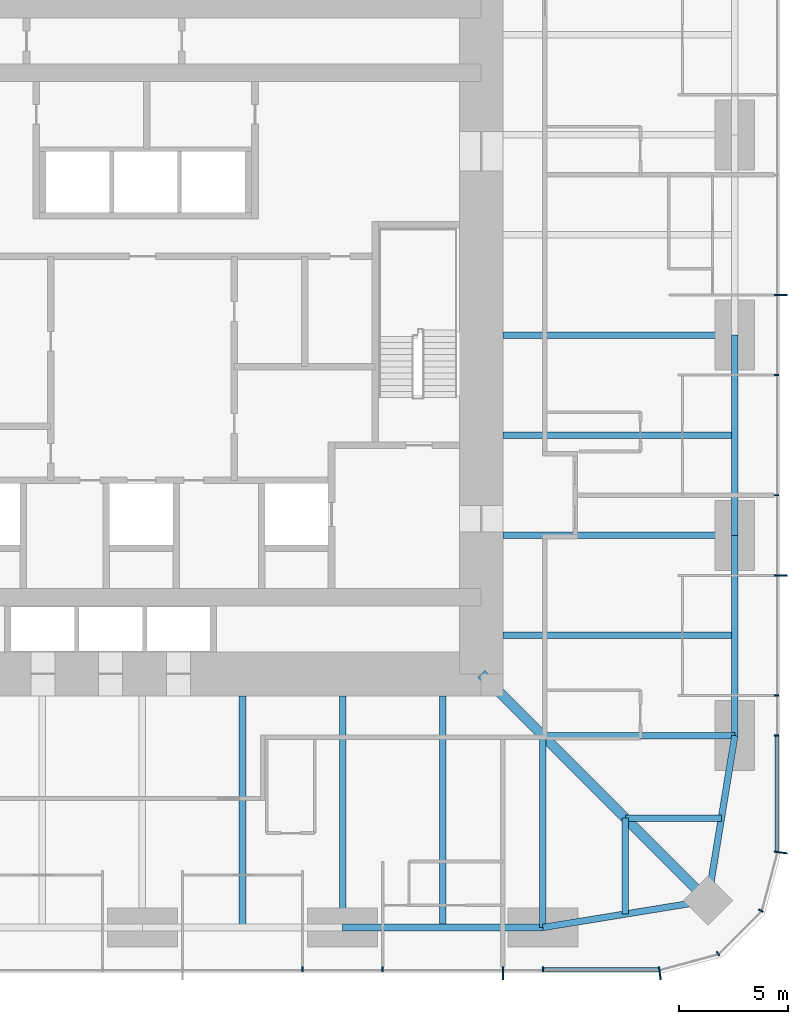
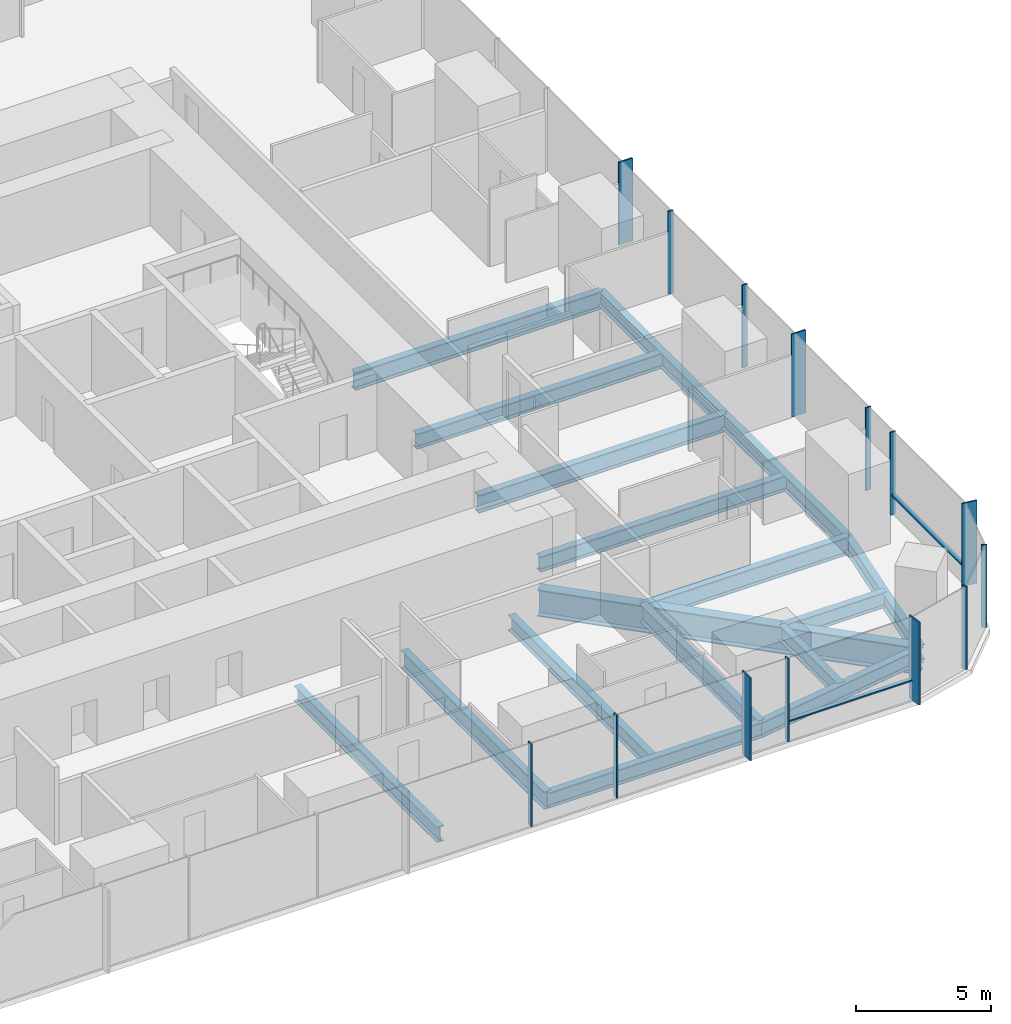
# One storey, part 4 of 13: 17 beams, 16 members, 3 elements without a shape of their own.
"""IFC4 building model written with IfcOpenShell, lengths in metres."""

from ifc_helpers import new_model, si_unit, direction, frame, origin, origin_2d, place, context, subcontext, project, spatial, rectangle, i_section, extrude, material, material_profile, profile_set, type_object, element, aggregate, save


model = new_model("IFC4")

# Units and contexts
model_context = context("Model", 3, precision=1e-05, world=origin(), true_north=direction((0.0, 1.0)))
body_context = subcontext(model_context, "Body", "Model", "MODEL_VIEW")
ifc_project = project(units=[si_unit("LENGTHUNIT", "METRE"), si_unit("AREAUNIT", "SQUARE_METRE"), si_unit("VOLUMEUNIT", "CUBIC_METRE"), si_unit("PLANEANGLEUNIT", "RADIAN"), si_unit("MASSUNIT", "GRAM", prefix="KILO")], contexts=[model_context])

# Site, building, storey
site_placement = place(None, origin())
site = spatial("IfcSite", under=ifc_project, at=site_placement, CompositionType="ELEMENT")
building_placement = place(site_placement, origin())
building = spatial("IfcBuilding", under=site, at=building_placement, Name="Khuree Lantern Residences", CompositionType="ELEMENT")
storey_placement = place(building_placement, frame((0.0, 0.0, 122.25)))
storey = spatial("IfcBuildingStorey", under=building, at=storey_placement, Name="L30", CompositionType="ELEMENT", Elevation=122.25)

# Beams
ifc_material_1 = material(Name="Steel S355", Category="steel")
ifc_material_profile_1 = material_profile(ifc_material_1, i_section(OverallWidth=0.300048828125, OverallDepth=0.68994140625, WebThickness=0.014404296875, FlangeThickness=0.027099609375, FilletRadius=0.027099609375, at=origin_2d()), Name="HE 700 A")
ifc_profile_set_1 = profile_set([ifc_material_profile_1], Name="Steel S355")
beam_type_1 = type_object("IfcBeamType", Name="B-22 SECONDARY BEAM HE 700 A", PredefinedType="BEAM", material=ifc_profile_set_1)
for number, where, z_axis, x_axis, name in (
    (1, (27.10009765625, -4.580078125, -0.594970703125), (-1.0, 0.0, 0.0), (0.0, -1.0, 0.0), "Secondary beam E4"),
    (2, (27.10009765625, -13.739990234375, -0.594970703125), (-1.0, 0.0, 0.0), (0.0, -1.0, 0.0), "Secondary beam E5"),
):
    element("IfcBeam", number, at=place(storey_placement, frame(where, z_axis=z_axis, x_axis=x_axis)), inside=storey, type_object=beam_type_1, Name=name, PredefinedType="BEAM", context=body_context, shape_type="SweptSolid", body=[
        extrude(i_section(OverallWidth=0.300048828125, OverallDepth=0.68994140625, WebThickness=0.014404296875, FlangeThickness=0.027099609375, FilletRadius=0.027099609375, at=origin_2d()), origin(), (0.0, 0.0, 1.0), 10.60009765625),
    ])
for number, where, z_axis, x_axis, name in (
    (3, (26.48486328125, -22.094970703125, -0.594970703125), (-1.0, 0.0, 0.0), (0.0, -1.0, 0.0), "Secondary beam E6"),
    (4, (22.094970703125, -26.48486328125, -0.594970703125), (0.0, 1.0, 0.0), (-1.0, 0.0, 0.0), "Secondary beam S1"),
):
    element("IfcBeam", number, at=place(storey_placement, frame(where, z_axis=z_axis, x_axis=x_axis)), inside=storey, type_object=beam_type_1, Name=name, PredefinedType="BEAM", context=body_context, shape_type="SweptSolid", body=[
        extrude(i_section(OverallWidth=0.300048828125, OverallDepth=0.68994140625, WebThickness=0.014404296875, FlangeThickness=0.027099609375, FilletRadius=0.027099609375, at=origin_2d()), origin(), (0.0, 0.0, 1.0), 4.389892578125),
    ])
for number, where, z_axis, x_axis, name in (
    (5, (13.739990234375, -27.10009765625, -0.594970703125), (0.0, 1.0, 0.0), (-1.0, 0.0, 0.0), "Secondary beam S2"),
    (6, (4.580078125, -27.10009765625, -0.594970703125), (0.0, 1.0, 0.0), (-1.0, 0.0, 0.0), "Secondary beam S3"),
):
    element("IfcBeam", number, at=place(storey_placement, frame(where, z_axis=z_axis, x_axis=x_axis)), inside=storey, type_object=beam_type_1, Name=name, PredefinedType="BEAM", context=body_context, shape_type="SweptSolid", body=[
        extrude(i_section(OverallWidth=0.300048828125, OverallDepth=0.68994140625, WebThickness=0.014404296875, FlangeThickness=0.027099609375, FilletRadius=0.027099609375, at=origin_2d()), origin(), (0.0, 0.0, 1.0), 10.60009765625),
    ])
ifc_material_profile_2 = material_profile(ifc_material_1, i_section(OverallWidth=0.300048828125, OverallDepth=0.68994140625, WebThickness=0.014404296875, FlangeThickness=0.027099609375, FilletRadius=0.027099609375, at=origin_2d()), Name="HE 700 A")
ifc_profile_set_2 = profile_set([ifc_material_profile_2], Name="Steel S355")
beam_type_2 = type_object("IfcBeamType", Name="E-22 SPANDREL BEAM HE 700 A", PredefinedType="SPANDREL", material=ifc_profile_set_2)
beam_1_placement = place(storey_placement, frame((27.10009765625, 0.0, -0.594970703125), z_axis=(0.0, -1.0, 0.0), x_axis=(1.0, 0.0, 0.0)))
element("IfcBeam", 7, at=beam_1_placement, inside=storey, type_object=beam_type_2, Name="Spandrel beam E4", PredefinedType="SPANDREL", context=body_context, shape_type="SweptSolid", body=[
    extrude(i_section(OverallWidth=0.300048828125, OverallDepth=0.68994140625, WebThickness=0.014404296875, FlangeThickness=0.027099609375, FilletRadius=0.027099609375, at=origin_2d()), origin(), (0.0, 0.0, 1.0), 9.159912109375),
])
beam_2_placement = place(storey_placement, frame((27.10009765625, -9.159912109375, -0.594970703125), z_axis=(0.0, -1.0, 0.0), x_axis=(1.0, 0.0, 0.0)))
element("IfcBeam", 8, at=beam_2_placement, inside=storey, type_object=beam_type_2, Name="Spandrel beam E5", PredefinedType="SPANDREL", context=body_context, shape_type="SweptSolid", body=[
    extrude(i_section(OverallWidth=0.300048828125, OverallDepth=0.68994140625, WebThickness=0.014404296875, FlangeThickness=0.027099609375, FilletRadius=0.027099609375, at=origin_2d()), origin(), (0.0, 0.0, 1.0), 9.16015625),
])
for number, where, z_axis, x_axis, name in (
    (9, (27.10009765625, -18.320068359375, -0.594970703125), (-0.160826723833, -0.986982656839, 0.0), (0.986982656839, -0.160826723833, 0.0), "Spandrel beam E6"),
    (10, (25.869873046875, -25.869873046875, -0.594970703125), (-0.986982656839, -0.160826723833, 0.0), (0.160826723833, -0.986982656839, 0.0), "Spandrel beam S1"),
):
    element("IfcBeam", number, at=place(storey_placement, frame(where, z_axis=z_axis, x_axis=x_axis)), inside=storey, type_object=beam_type_2, Name=name, PredefinedType="SPANDREL", context=body_context, shape_type="SweptSolid", body=[
        extrude(i_section(OverallWidth=0.300048828125, OverallDepth=0.68994140625, WebThickness=0.014404296875, FlangeThickness=0.027099609375, FilletRadius=0.027099609375, at=origin_2d()), origin(), (0.0, 0.0, 1.0), 7.6494140625),
    ])
beam_3_placement = place(storey_placement, frame((18.320068359375, -27.10009765625, -0.594970703125), z_axis=(-1.0, 0.0, 0.0), x_axis=(0.0, -1.0, 0.0)))
element("IfcBeam", 11, at=beam_3_placement, inside=storey, type_object=beam_type_2, Name="Spandrel beam S2", PredefinedType="SPANDREL", context=body_context, shape_type="SweptSolid", body=[
    extrude(i_section(OverallWidth=0.300048828125, OverallDepth=0.68994140625, WebThickness=0.014404296875, FlangeThickness=0.027099609375, FilletRadius=0.027099609375, at=origin_2d()), origin(), (0.0, 0.0, 1.0), 9.16015625),
])

# Curtain wall, member
ifc_material_2 = material(Name="Bronze anodised aluminium", Category="aluminium")
curtain_wall_type_1 = type_object("IfcCurtainWallType", Name="CW-T2 TOWER CORNER CURTAIN WALL", PredefinedType="USERDEFINED", material=ifc_material_2)
curtain_wall_1_placement = place(storey_placement, origin())
curtain_wall_1 = element("IfcCurtainWall", 12, at=curtain_wall_1_placement, inside=storey, type_object=curtain_wall_type_1, Name="L30 SOUTH-EAST CORNER CURTAIN WALL", ObjectType="Faceted corner curtain wall", PredefinedType="USERDEFINED")
ifc_material_profile_3 = material_profile(ifc_material_2, rectangle(XDim=0.06494140625, YDim=0.60009765625, at=origin_2d()), Name="F1 65X600")
ifc_profile_set_3 = profile_set([ifc_material_profile_3], Name="Bronze anodised aluminium")
member_type_1 = type_object("IfcMemberType", Name="F1 BRONZE FIN MULLION TOWER 65X600", PredefinedType="MULLION", material=ifc_profile_set_3)
member_1_placement = place(storey_placement, frame((23.669677734375, -29.2001953125, 0.0), z_axis=(0.0, 0.0, 1.0), x_axis=(0.991444857305, 0.130526223125, 0.0)))
member_1 = element("IfcMember", 13, at=member_1_placement, type_object=member_type_1, Name="L30 SOUTH-EAST CORNER FIN MULLION 1", PredefinedType="MULLION", context=body_context, shape_type="SweptSolid", body=[
    extrude(rectangle(XDim=0.06494140625, YDim=0.60009765625, at=origin_2d()), origin(), (0.0, 0.0, 1.0), 3.75),
])

# Curtain wall, members
curtain_wall_type_2 = type_object("IfcCurtainWallType", Name="CW-T1 TOWER FACE CURTAIN WALL", PredefinedType="USERDEFINED", material=ifc_material_2)
curtain_wall_2_placement = place(storey_placement, origin())
curtain_wall_2 = element("IfcCurtainWall", 14, at=curtain_wall_2_placement, inside=storey, type_object=curtain_wall_type_2, Name="L30 EAST FACE CURTAIN WALL", ObjectType="Stick-built curtain wall", PredefinedType="USERDEFINED")
member_2_placement = place(storey_placement, frame((29.2001953125, -23.669677734375, 0.0), z_axis=(0.0, 0.0, 1.0), x_axis=(0.130526223125, 0.991444857305, 0.0)))
member_2 = element("IfcMember", 15, at=member_2_placement, type_object=member_type_1, Name="L30 EAST FACE FIN MULLION 4", PredefinedType="MULLION", context=body_context, shape_type="SweptSolid", body=[
    extrude(rectangle(XDim=0.06494140625, YDim=0.60009765625, at=origin_2d()), origin(), (0.0, 0.0, 1.0), 3.75),
])
member_3_placement = place(storey_placement, frame((29.199951171875, -10.991943359375, 0.0), z_axis=(0.0, 0.0, 1.0), x_axis=(0.0, 1.0, 0.0)))
member_3 = element("IfcMember", 16, at=member_3_placement, type_object=member_type_1, Name="L30 EAST FACE FIN MULLION 7", PredefinedType="MULLION", context=body_context, shape_type="SweptSolid", body=[
    extrude(rectangle(XDim=0.06494140625, YDim=0.60009765625, at=origin_2d()), origin(), (0.0, 0.0, 1.0), 3.75),
])
member_4_placement = place(storey_placement, frame((29.199951171875, 1.83203125, 0.0), z_axis=(0.0, 0.0, 1.0), x_axis=(0.0, 1.0, 0.0)))
member_4 = element("IfcMember", 17, at=member_4_placement, type_object=member_type_1, Name="L30 EAST FACE FIN MULLION 10", PredefinedType="MULLION", context=body_context, shape_type="SweptSolid", body=[
    extrude(rectangle(XDim=0.06494140625, YDim=0.60009765625, at=origin_2d()), origin(), (0.0, 0.0, 1.0), 3.75),
])

# Curtain wall, member
curtain_wall_3_placement = place(storey_placement, origin())
curtain_wall_3 = element("IfcCurtainWall", 18, at=curtain_wall_3_placement, inside=storey, type_object=curtain_wall_type_2, Name="L30 SOUTH FACE CURTAIN WALL", ObjectType="Stick-built curtain wall", PredefinedType="USERDEFINED")
member_5_placement = place(storey_placement, frame((16.488037109375, -29.199951171875, 0.0), z_axis=(0.0, 0.0, 1.0), x_axis=(1.0, 0.0, 0.0)))
member_5 = element("IfcMember", 19, at=member_5_placement, type_object=member_type_1, Name="L30 SOUTH FACE FIN MULLION 55", PredefinedType="MULLION", context=body_context, shape_type="SweptSolid", body=[
    extrude(rectangle(XDim=0.06494140625, YDim=0.60009765625, at=origin_2d()), origin(), (0.0, 0.0, 1.0), 3.75),
])

# Beams
ifc_material_profile_4 = material_profile(ifc_material_1, i_section(OverallWidth=0.300048828125, OverallDepth=0.800048828125, WebThickness=0.017578125, FlangeThickness=0.032958984375, FilletRadius=0.030029296875, at=origin_2d()), Name="HE 800 B")
ifc_profile_set_4 = profile_set([ifc_material_profile_4], Name="Steel S355")
beam_type_3 = type_object("IfcBeamType", Name="G-22 GIRDER HE 800 B", PredefinedType="BEAM", material=ifc_profile_set_4)
for number, where, z_axis, x_axis, name in (
    (20, (27.10009765625, 0.0, -0.64990234375), (-1.0, 0.0, 0.0), (0.0, -1.0, 0.0), "Girder E3"),
    (21, (27.10009765625, -9.159912109375, -0.64990234375), (-1.0, 0.0, 0.0), (0.0, -1.0, 0.0), "Girder E4"),
):
    element("IfcBeam", number, at=place(storey_placement, frame(where, z_axis=z_axis, x_axis=x_axis)), inside=storey, type_object=beam_type_3, Name=name, PredefinedType="BEAM", context=body_context, shape_type="SweptSolid", body=[
        extrude(i_section(OverallWidth=0.300048828125, OverallDepth=0.800048828125, WebThickness=0.017578125, FlangeThickness=0.032958984375, FilletRadius=0.030029296875, at=origin_2d()), origin(), (0.0, 0.0, 1.0), 10.60009765625),
    ])
for number, where, z_axis, x_axis, name in (
    (22, (27.10009765625, -18.320068359375, -0.64990234375), (-1.0, 0.0, 0.0), (0.0, -1.0, 0.0), "Girder E5"),
    (23, (18.320068359375, -27.10009765625, -0.64990234375), (0.0, 1.0, 0.0), (-1.0, 0.0, 0.0), "Girder S1"),
):
    element("IfcBeam", number, at=place(storey_placement, frame(where, z_axis=z_axis, x_axis=x_axis)), inside=storey, type_object=beam_type_3, Name=name, PredefinedType="BEAM", context=body_context, shape_type="SweptSolid", body=[
        extrude(i_section(OverallWidth=0.300048828125, OverallDepth=0.800048828125, WebThickness=0.017578125, FlangeThickness=0.032958984375, FilletRadius=0.030029296875, at=origin_2d()), origin(), (0.0, 0.0, 1.0), 8.780029296875),
    ])
beam_4_placement = place(storey_placement, frame((9.159912109375, -27.10009765625, -0.64990234375), z_axis=(0.0, 1.0, 0.0), x_axis=(-1.0, 0.0, 0.0)))
element("IfcBeam", 24, at=beam_4_placement, inside=storey, type_object=beam_type_3, Name="Girder S2", PredefinedType="BEAM", context=body_context, shape_type="SweptSolid", body=[
    extrude(i_section(OverallWidth=0.300048828125, OverallDepth=0.800048828125, WebThickness=0.017578125, FlangeThickness=0.032958984375, FilletRadius=0.030029296875, at=origin_2d()), origin(), (0.0, 0.0, 1.0), 10.60009765625),
])
ifc_material_profile_5 = material_profile(ifc_material_1, i_section(OverallWidth=0.449951171875, OverallDepth=1.199951171875, WebThickness=0.02490234375, FlangeThickness=0.044921875, at=origin_2d()), Name="WELDED I 1200X450X25X45")
ifc_profile_set_5 = profile_set([ifc_material_profile_5], Name="Steel S355")
beam_type_4 = type_object("IfcBeamType", Name="GD-22 CORNER GIRDER WELDED I 1200X450X25X45", PredefinedType="BEAM", material=ifc_profile_set_5)
beam_5_placement = place(storey_placement, frame((25.869873046875, -25.869873046875, -0.85009765625), z_axis=(-0.707106781187, 0.707106781187, 0.0), x_axis=(-0.707106781187, -0.707106781187, 0.0)))
element("IfcBeam", 25, at=beam_5_placement, inside=storey, type_object=beam_type_4, Name="Corner girder SE", PredefinedType="BEAM", context=body_context, shape_type="SweptSolid", body=[
    extrude(i_section(OverallWidth=0.449951171875, OverallDepth=1.199951171875, WebThickness=0.02490234375, FlangeThickness=0.044921875, at=origin_2d()), origin(), (0.0, 0.0, 1.0), 14.665283203125),
])

# Member
ifc_material_profile_6 = material_profile(ifc_material_2, rectangle(XDim=0.06494140625, YDim=0.219970703125, at=origin_2d()), Name="M1 65X220")
ifc_profile_set_6 = profile_set([ifc_material_profile_6], Name="Bronze anodised aluminium")
member_type_2 = type_object("IfcMemberType", Name="M1 BRONZE MULLION TOWER 65X220", PredefinedType="MULLION", material=ifc_profile_set_6)
member_6_placement = place(storey_placement, frame((26.330078125, -28.2919921875, 0.0), z_axis=(0.0, 0.0, 1.0), x_axis=(0.866025388199, 0.500000026995, 0.0)))
member_6 = element("IfcMember", 26, at=member_6_placement, type_object=member_type_2, Name="L30 SOUTH-EAST CORNER MULLION 2", PredefinedType="MULLION", context=body_context, shape_type="SweptSolid", body=[
    extrude(rectangle(XDim=0.06494140625, YDim=0.219970703125, at=origin_2d()), origin(), (0.0, 0.0, 1.0), 3.75),
])

member_7_placement = place(storey_placement, frame((28.2919921875, -26.330078125, 0.0), z_axis=(0.0, 0.0, 1.0), x_axis=(0.500000026995, 0.866025388199, 0.0)))
member_7 = element("IfcMember", 27, at=member_7_placement, type_object=member_type_2, Name="L30 SOUTH-EAST CORNER MULLION 3", PredefinedType="MULLION", context=body_context, shape_type="SweptSolid", body=[
    extrude(rectangle(XDim=0.06494140625, YDim=0.219970703125, at=origin_2d()), origin(), (0.0, 0.0, 1.0), 3.75),
])

aggregate(curtain_wall_1, [member_1, member_6, member_7])

member_8_placement = place(storey_placement, frame((29.010009765625, -18.320068359375, 0.0), z_axis=(0.0, 0.0, 1.0), x_axis=(0.0, 1.0, 0.0)))
member_8 = element("IfcMember", 28, at=member_8_placement, type_object=member_type_2, Name="L30 EAST FACE MULLION 5", PredefinedType="MULLION", context=body_context, shape_type="SweptSolid", body=[
    extrude(rectangle(XDim=0.06494140625, YDim=0.219970703125, at=origin_2d()), origin(), (0.0, 0.0, 1.0), 3.75),
])

member_9_placement = place(storey_placement, frame((29.010009765625, -16.488037109375, 0.0), z_axis=(0.0, 0.0, 1.0), x_axis=(0.0, 1.0, 0.0)))
member_9 = element("IfcMember", 29, at=member_9_placement, type_object=member_type_2, Name="L30 EAST FACE MULLION 6", PredefinedType="MULLION", context=body_context, shape_type="SweptSolid", body=[
    extrude(rectangle(XDim=0.06494140625, YDim=0.219970703125, at=origin_2d()), origin(), (0.0, 0.0, 1.0), 3.75),
])

member_10_placement = place(storey_placement, frame((29.010009765625, -7.327880859375, 0.0), z_axis=(0.0, 0.0, 1.0), x_axis=(0.0, 1.0, 0.0)))
member_10 = element("IfcMember", 30, at=member_10_placement, type_object=member_type_2, Name="L30 EAST FACE MULLION 8", PredefinedType="MULLION", context=body_context, shape_type="SweptSolid", body=[
    extrude(rectangle(XDim=0.06494140625, YDim=0.219970703125, at=origin_2d()), origin(), (0.0, 0.0, 1.0), 3.75),
])

member_11_placement = place(storey_placement, frame((29.010009765625, -1.83203125, 0.0), z_axis=(0.0, 0.0, 1.0), x_axis=(0.0, 1.0, 0.0)))
member_11 = element("IfcMember", 31, at=member_11_placement, type_object=member_type_2, Name="L30 EAST FACE MULLION 9", PredefinedType="MULLION", context=body_context, shape_type="SweptSolid", body=[
    extrude(rectangle(XDim=0.06494140625, YDim=0.219970703125, at=origin_2d()), origin(), (0.0, 0.0, 1.0), 3.75),
])

member_12_placement = place(storey_placement, frame((7.327880859375, -29.010009765625, 0.0), z_axis=(0.0, 0.0, 1.0), x_axis=(1.0, 0.0, 0.0)))
member_12 = element("IfcMember", 32, at=member_12_placement, type_object=member_type_2, Name="L30 SOUTH FACE MULLION 53", PredefinedType="MULLION", context=body_context, shape_type="SweptSolid", body=[
    extrude(rectangle(XDim=0.06494140625, YDim=0.219970703125, at=origin_2d()), origin(), (0.0, 0.0, 1.0), 3.75),
])

member_13_placement = place(storey_placement, frame((10.991943359375, -29.010009765625, 0.0), z_axis=(0.0, 0.0, 1.0), x_axis=(1.0, 0.0, 0.0)))
member_13 = element("IfcMember", 33, at=member_13_placement, type_object=member_type_2, Name="L30 SOUTH FACE MULLION 54", PredefinedType="MULLION", context=body_context, shape_type="SweptSolid", body=[
    extrude(rectangle(XDim=0.06494140625, YDim=0.219970703125, at=origin_2d()), origin(), (0.0, 0.0, 1.0), 3.75),
])

member_14_placement = place(storey_placement, frame((18.320068359375, -29.010009765625, 0.0), z_axis=(0.0, 0.0, 1.0), x_axis=(1.0, 0.0, 0.0)))
member_14 = element("IfcMember", 34, at=member_14_placement, type_object=member_type_2, Name="L30 SOUTH FACE MULLION 56", PredefinedType="MULLION", context=body_context, shape_type="SweptSolid", body=[
    extrude(rectangle(XDim=0.06494140625, YDim=0.219970703125, at=origin_2d()), origin(), (0.0, 0.0, 1.0), 3.75),
])

ifc_material_profile_7 = material_profile(ifc_material_2, rectangle(XDim=0.179931640625, YDim=0.06494140625, at=origin_2d()), Name="T1 180X65")
ifc_profile_set_7 = profile_set([ifc_material_profile_7], Name="Bronze anodised aluminium")
member_type_3 = type_object("IfcMemberType", Name="TRANSOM T1 TOWER 180X65", PredefinedType="USERDEFINED", material=ifc_profile_set_7)
member_15_placement = place(storey_placement, frame((29.02001953125, -23.601318359375, 0.89990234375), z_axis=(0.0, 1.0, 0.0), x_axis=(-1.0, 0.0, 0.0)))
member_15 = element("IfcMember", 35, at=member_15_placement, type_object=member_type_3, Name="L30 EAST FACE TRANSOM 4.1", ObjectType="Transom", PredefinedType="USERDEFINED", context=body_context, shape_type="SweptSolid", body=[
    extrude(rectangle(XDim=0.179931640625, YDim=0.06494140625, at=origin_2d()), origin(), (0.0, 0.0, 1.0), 5.248779296875),
])

aggregate(curtain_wall_2, [member_2, member_8, member_9, member_3, member_10, member_11, member_4, member_15])

member_16_placement = place(storey_placement, frame((18.3525390625, -29.02001953125, 0.89990234375), z_axis=(1.0, 0.0, 0.0), x_axis=(0.0, 1.0, 0.0)))
member_16 = element("IfcMember", 36, at=member_16_placement, type_object=member_type_3, Name="L30 SOUTH FACE TRANSOM 56.1", ObjectType="Transom", PredefinedType="USERDEFINED", context=body_context, shape_type="SweptSolid", body=[
    extrude(rectangle(XDim=0.179931640625, YDim=0.06494140625, at=origin_2d()), origin(), (0.0, 0.0, 1.0), 5.248779296875),
])

aggregate(curtain_wall_3, [member_12, member_13, member_5, member_14, member_16])

save(model, "model.ifc")
